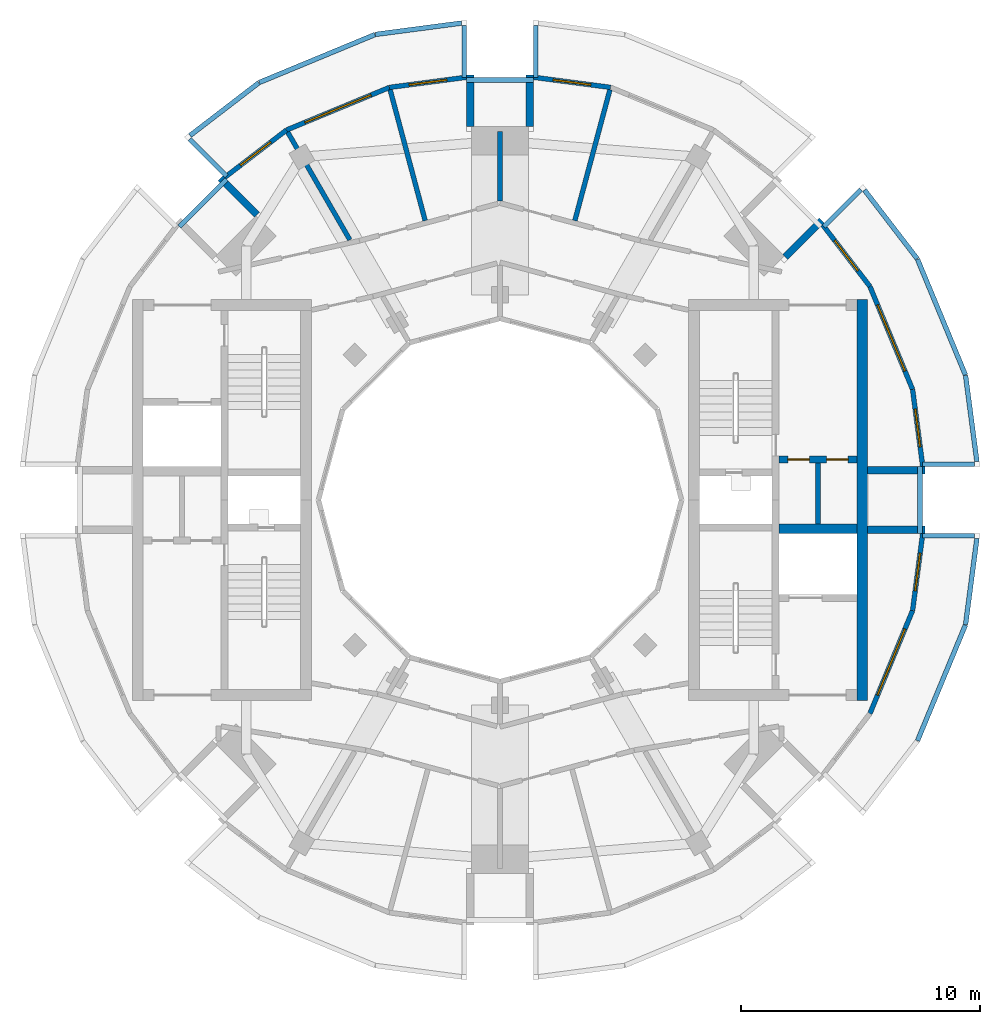
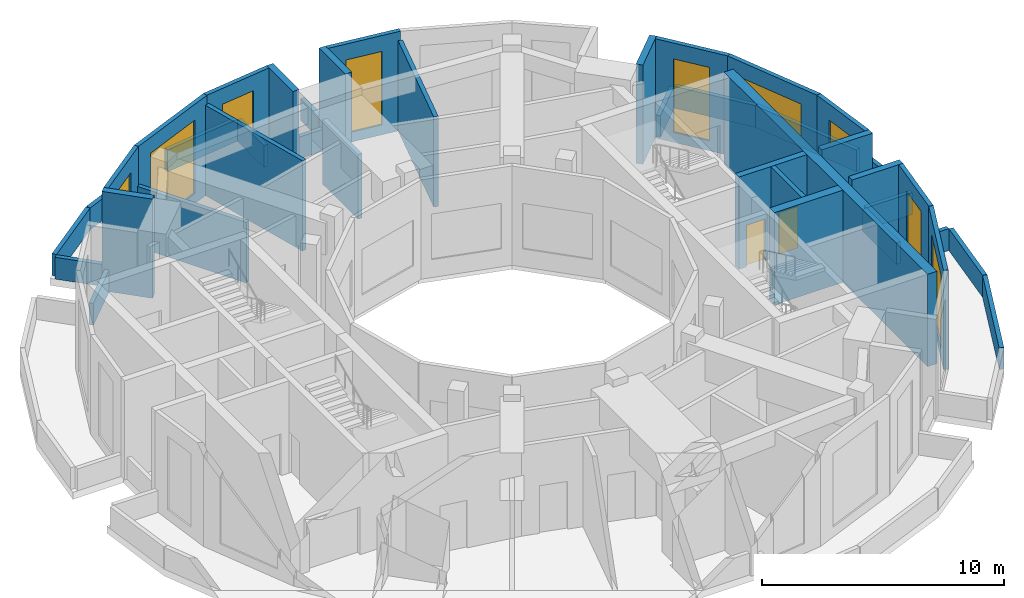
# One storey, part 6 of 8: 40 walls, 9 windows, 2 doors, 11 openings.
"""IFC4 building model written with IfcOpenShell, lengths in metres."""

from ifc_helpers import new_model, si_unit, direction, frame, frame_2d, origin, place, context, subcontext, project, spatial, rectangle, extrude, material, layer, layer_set, type_object, element, fill, save


model = new_model("IFC4")

# Units and contexts
model_context = context("Model", 3, precision=1e-05, world=origin(), true_north=direction((0.0, 1.0)))
body_context = subcontext(model_context, "Body", "Model", "MODEL_VIEW")
ifc_project = project(units=[si_unit("LENGTHUNIT", "METRE"), si_unit("AREAUNIT", "SQUARE_METRE"), si_unit("VOLUMEUNIT", "CUBIC_METRE"), si_unit("PLANEANGLEUNIT", "RADIAN"), si_unit("MASSUNIT", "GRAM", prefix="KILO")], contexts=[model_context])

# Site, building, storey
site_placement = place(None, origin())
site = spatial("IfcSite", under=ifc_project, at=site_placement, CompositionType="ELEMENT")
building_placement = place(site_placement, origin())
building = spatial("IfcBuilding", under=site, at=building_placement, Name="Torre Brocal", CompositionType="ELEMENT")
storey_placement = place(building_placement, frame((0.0, 0.0, 328.10009765625)))
storey = spatial("IfcBuildingStorey", under=building, at=storey_placement, Name="L75", CompositionType="ELEMENT", Elevation=328.10009765625)

# Wall
ifc_material_1 = material(Name="Masonry block", Category="masonry")
ifc_layer_1 = layer(ifc_material_1, 0.199951171875)
ifc_layer_set_1 = layer_set([ifc_layer_1], Name="Masonry block")
wall_type_1 = type_object("IfcWallType", Name="CORE PARTITION 200 UNDER 350 SLAB", PredefinedType="PARTITIONING", material=ifc_layer_set_1)
wall_1_placement = place(storey_placement, frame((93.324951171875, 74.0, 0.0), z_axis=(0.0, 0.0, 1.0), x_axis=(0.0, 1.0, 0.0)))
element("IfcWall", 1, at=wall_1_placement, inside=storey, type_object=wall_type_1, Name="Wall CP200-S350", PredefinedType="PARTITIONING", context=body_context, shape_type="SweptSolid", body=[
    extrude(rectangle(XDim=2.550048828125, YDim=0.199951171875, at=frame_2d((1.27490234375, 0.0))), origin(), (0.0, 0.0, 1.0), 4.64990234375),
])

# Wall, openings, doors
ifc_material_2 = material(Name="Concrete C50", Category="concrete")
ifc_layer_2 = layer(ifc_material_2, 0.300048828125)
ifc_layer_set_2 = layer_set([ifc_layer_2], Name="Concrete C50")
wall_type_2 = type_object("IfcWallType", Name="CORE WALL 300 C50 UNDER 350 SLAB", PredefinedType="SHEAR", material=ifc_layer_set_2)
wall_2_placement = place(storey_placement, frame((91.699951171875, 76.699951171875, 0.0), z_axis=(0.0, 0.0, 1.0), x_axis=(1.0, 0.0, 0.0)))
wall_2 = element("IfcWall", 2, at=wall_2_placement, inside=storey, type_object=wall_type_2, Name="Wall CW300-50-S350", PredefinedType="SHEAR", context=body_context, shape_type="SweptSolid", body=[
    extrude(rectangle(XDim=3.25, YDim=0.300048828125, at=frame_2d((1.625, 0.0))), origin(), (0.0, 0.0, 1.0), 4.64990234375),
])
opening_1_placement = place(wall_2_placement, frame((0.362548828125, 0.0, 0.0)))
opening_1 = element("IfcOpeningElement", 3, at=opening_1_placement, cuts=wall_2, Name="Opening E-D04", PredefinedType="OPENING", context=body_context, shape_type="SweptSolid", body=[
    extrude(rectangle(XDim=0.89990234375, YDim=2.10009765625, at=frame_2d((0.449951171875, 1.050048828125))), frame((0.0, 0.159912109375, 0.0), z_axis=(0.0, -1.0, 0.0), x_axis=(1.0, 0.0, 0.0)), (0.0, 0.0, 1.0), 0.320068359375),
])
opening_2_placement = place(wall_2_placement, frame((1.987548828125, 0.0, 0.0)))
opening_2 = element("IfcOpeningElement", 4, at=opening_2_placement, cuts=wall_2, Name="Opening E-D05", PredefinedType="OPENING", context=body_context, shape_type="SweptSolid", body=[
    extrude(rectangle(XDim=0.89990234375, YDim=2.10009765625, at=frame_2d((0.449951171875, 1.050048828125))), frame((0.0, 0.159912109375, 0.0), z_axis=(0.0, -1.0, 0.0), x_axis=(1.0, 0.0, 0.0)), (0.0, 0.0, 1.0), 0.320068359375),
])
ifc_material_3 = material(Name="Steel A653", Category="steel")
door_type = type_object("IfcDoorType", Name="ROOM DOOR FD30S 900X2100", OperationType="SINGLE_SWING_LEFT", PredefinedType="DOOR", material=ifc_material_3)
door_1_placement = place(opening_1_placement, frame((0.89990234375, 0.0, 0.0), z_axis=(0.0, 0.0, 1.0), x_axis=(-1.0, 0.0, 0.0)))
door_1 = element("IfcDoor", 5, at=door_1_placement, inside=storey, type_object=door_type, Name="Door E-D04", OperationType="SINGLE_SWING_LEFT", OverallHeight=2.10009765625, OverallWidth=0.89990234375, PredefinedType="DOOR", context=body_context, shape_type="SweptSolid", body=[
    extrude(rectangle(XDim=0.89990234375, YDim=2.10009765625, at=frame_2d((0.449951171875, 1.050048828125))), frame((0.0, 0.02490234375, 0.0), z_axis=(0.0, -1.0, 0.0), x_axis=(1.0, 0.0, 0.0)), (0.0, 0.0, 1.0), 0.050048828125),
])
fill(opening_1, door_1)
door_2_placement = place(opening_2_placement, frame((0.89990234375, 0.0, 0.0), z_axis=(0.0, 0.0, 1.0), x_axis=(-1.0, 0.0, 0.0)))
door_2 = element("IfcDoor", 6, at=door_2_placement, inside=storey, type_object=door_type, Name="Door E-D05", OperationType="SINGLE_SWING_RIGHT", OverallHeight=2.10009765625, OverallWidth=0.89990234375, PredefinedType="DOOR", context=body_context, shape_type="SweptSolid", body=[
    extrude(rectangle(XDim=0.89990234375, YDim=2.10009765625, at=frame_2d((0.449951171875, 1.050048828125))), frame((0.0, 0.02490234375, 0.0), z_axis=(0.0, -1.0, 0.0), x_axis=(1.0, 0.0, 0.0)), (0.0, 0.0, 1.0), 0.050048828125),
])
fill(opening_2, door_2)

# Walls
ifc_material_4 = material(Name="Concrete C50", Category="concrete")
ifc_layer_3 = layer(ifc_material_4, 0.39990234375)
ifc_layer_set_3 = layer_set([ifc_layer_3], Name="Concrete C50")
wall_type_3 = type_object("IfcWallType", Name="CORE WALL 400 C50 UNDER 350 SLAB", PredefinedType="SHEAR", material=ifc_layer_set_3)
wall_3_placement = place(storey_placement, frame((91.699951171875, 73.800048828125, 0.0), z_axis=(0.0, 0.0, 1.0), x_axis=(1.0, 0.0, 0.0)))
element("IfcWall", 7, at=wall_3_placement, inside=storey, type_object=wall_type_3, Name="Wall CW400-50-S350", PredefinedType="SHEAR", context=body_context, shape_type="SweptSolid", body=[
    extrude(rectangle(XDim=3.25, YDim=0.39990234375, at=frame_2d((1.625, 0.0))), origin(), (0.0, 0.0, 1.0), 4.64990234375),
])
ifc_material_5 = material(Name="Concrete C50", Category="concrete")
ifc_layer_4 = layer(ifc_material_5, 0.449951171875)
ifc_layer_set_4 = layer_set([ifc_layer_4], Name="Concrete C50")
wall_type_4 = type_object("IfcWallType", Name="CORE WALL 450 C50 UNDER 350 SLAB", PredefinedType="SHEAR", material=ifc_layer_set_4)
wall_4_placement = place(storey_placement, frame((95.175048828125, 66.60009765625, 0.0), z_axis=(0.0, 0.0, 1.0), x_axis=(0.0, 1.0, 0.0)))
element("IfcWall", 8, at=wall_4_placement, inside=storey, type_object=wall_type_4, Name="Wall CW450-50-S350", PredefinedType="SHEAR", context=body_context, shape_type="SweptSolid", body=[
    extrude(rectangle(XDim=16.7998046875, YDim=0.449951171875, at=frame_2d((8.39990234375, 0.0))), origin(), (0.0, 0.0, 1.0), 4.64990234375),
])

# Wall, opening, window
ifc_material_6 = material(Name="Concrete C40", Category="concrete")
ifc_layer_5 = layer(ifc_material_6, 0.199951171875)
ifc_layer_set_5 = layer_set([ifc_layer_5], Name="Concrete C40")
wall_type_5 = type_object("IfcWallType", Name="LOUVRED PLANT WALL 200", PredefinedType="NOTDEFINED", material=ifc_layer_set_5)
wall_5_placement = place(storey_placement, frame((97.71484375, 76.39990234375, 0.0), z_axis=(0.0, 0.0, 1.0), x_axis=(-0.130510682886, 0.991446903093, 0.0)))
wall_5 = element("IfcWall", 9, at=wall_5_placement, inside=storey, type_object=wall_type_5, Name="LOUVRED PLANT WALL", PredefinedType="NOTDEFINED", context=body_context, shape_type="SweptSolid", body=[
    extrude(rectangle(XDim=3.260498046875, YDim=0.199951171875, at=frame_2d((1.63037109375, 0.0))), origin(), (0.0, 0.0, 1.0), 5.0),
])
opening_3_placement = place(wall_5_placement, frame((0.830322265625, 0.0, 0.5)))
opening_3 = element("IfcOpeningElement", 10, at=opening_3_placement, cuts=wall_5, Name="Opening LV-1600-3700", PredefinedType="OPENING", context=body_context, shape_type="SweptSolid", body=[
    extrude(rectangle(XDim=1.60009765625, YDim=3.699951171875, at=frame_2d((0.800048828125, 1.85009765625))), frame((0.0, 0.10986328125, 0.0), z_axis=(0.0, -1.0, 0.0), x_axis=(1.0, 0.0, 0.0)), (0.0, 0.0, 1.0), 0.219970703125),
])
ifc_material_7 = material(Name="Aluminium louvre", Category="aluminium")
window_type_1 = type_object("IfcWindowType", Name="LOUVRE PANEL 1600X3700", PartitioningType="SINGLE_PANEL", PredefinedType="USERDEFINED", material=ifc_material_7)
window_1_placement = place(opening_3_placement, origin())
window_1 = element("IfcWindow", 11, at=window_1_placement, inside=storey, type_object=window_type_1, Name="LOUVRE PANEL 1600X3700", ObjectType="LOUVRE", OverallHeight=3.699951171875, OverallWidth=1.60009765625, PartitioningType="SINGLE_PANEL", PredefinedType="USERDEFINED", context=body_context, shape_type="SweptSolid", body=[
    extrude(rectangle(XDim=1.60009765625, YDim=3.699951171875, at=frame_2d((0.800048828125, 1.85009765625))), frame((0.0, 0.030029296875, 0.0), z_axis=(0.0, -1.0, 0.0), x_axis=(1.0, 0.0, 0.0)), (0.0, 0.0, 1.0), 0.06005859375),
])
fill(opening_3, window_1)

wall_6_placement = place(storey_placement, frame((97.289306640625, 79.632568359375, 0.0), z_axis=(0.0, 0.0, 1.0), x_axis=(-0.382677892842, 0.923881827038, 0.0)))
wall_6 = element("IfcWall", 12, at=wall_6_placement, inside=storey, type_object=wall_type_5, Name="LOUVRED PLANT WALL", PredefinedType="NOTDEFINED", context=body_context, shape_type="SweptSolid", body=[
    extrude(rectangle(XDim=4.672607421875, YDim=0.199951171875, at=frame_2d((2.33642578125, 0.0))), origin(), (0.0, 0.0, 1.0), 5.0),
])
opening_4_placement = place(wall_6_placement, frame((0.83642578125, 0.0, 0.5)))
opening_4 = element("IfcOpeningElement", 13, at=opening_4_placement, cuts=wall_6, Name="Opening LV-3000-3700", PredefinedType="OPENING", context=body_context, shape_type="SweptSolid", body=[
    extrude(rectangle(XDim=3.0, YDim=3.699951171875, at=frame_2d((1.5, 1.85009765625))), frame((0.0, 0.10986328125, 0.0), z_axis=(0.0, -1.0, 0.0), x_axis=(1.0, 0.0, 0.0)), (0.0, 0.0, 1.0), 0.219970703125),
])
ifc_material_8 = material(Name="Aluminium louvre", Category="aluminium")
window_type_2 = type_object("IfcWindowType", Name="LOUVRE PANEL 3000X3700", PartitioningType="SINGLE_PANEL", PredefinedType="USERDEFINED", material=ifc_material_8)
window_2_placement = place(opening_4_placement, origin())
window_2 = element("IfcWindow", 14, at=window_2_placement, inside=storey, type_object=window_type_2, Name="LOUVRE PANEL 3000X3700", ObjectType="LOUVRE", OverallHeight=3.699951171875, OverallWidth=3.0, PartitioningType="SINGLE_PANEL", PredefinedType="USERDEFINED", context=body_context, shape_type="SweptSolid", body=[
    extrude(rectangle(XDim=3.0, YDim=3.699951171875, at=frame_2d((1.5, 1.85009765625))), frame((0.0, 0.030029296875, 0.0), z_axis=(0.0, -1.0, 0.0), x_axis=(1.0, 0.0, 0.0)), (0.0, 0.0, 1.0), 0.06005859375),
])
fill(opening_4, window_2)

wall_7_placement = place(storey_placement, frame((95.501220703125, 83.949462890625, 0.0), z_axis=(0.0, 0.0, 1.0), x_axis=(-0.608780431243, 0.793338759003, 0.0)))
wall_7 = element("IfcWall", 15, at=wall_7_placement, inside=storey, type_object=wall_type_5, Name="LOUVRED PLANT WALL", PredefinedType="NOTDEFINED", context=body_context, shape_type="SweptSolid", body=[
    extrude(rectangle(XDim=3.2607421875, YDim=0.199951171875, at=frame_2d((1.63037109375, 0.0))), origin(), (0.0, 0.0, 1.0), 5.0),
])
opening_5_placement = place(wall_7_placement, frame((0.830322265625, 0.0, 0.5)))
opening_5 = element("IfcOpeningElement", 16, at=opening_5_placement, cuts=wall_7, Name="Opening LV-1600-3700", PredefinedType="OPENING", context=body_context, shape_type="SweptSolid", body=[
    extrude(rectangle(XDim=1.60009765625, YDim=3.699951171875, at=frame_2d((0.800048828125, 1.85009765625))), frame((0.0, 0.10986328125, 0.0), z_axis=(0.0, -1.0, 0.0), x_axis=(1.0, 0.0, 0.0)), (0.0, 0.0, 1.0), 0.219970703125),
])
window_3_placement = place(opening_5_placement, origin())
window_3 = element("IfcWindow", 17, at=window_3_placement, inside=storey, type_object=window_type_1, Name="LOUVRE PANEL 1600X3700", ObjectType="LOUVRE", OverallHeight=3.699951171875, OverallWidth=1.60009765625, PartitioningType="SINGLE_PANEL", PredefinedType="USERDEFINED", context=body_context, shape_type="SweptSolid", body=[
    extrude(rectangle(XDim=1.60009765625, YDim=3.699951171875, at=frame_2d((0.800048828125, 1.85009765625))), frame((0.0, 0.030029296875, 0.0), z_axis=(0.0, -1.0, 0.0), x_axis=(1.0, 0.0, 0.0)), (0.0, 0.0, 1.0), 0.06005859375),
])
fill(opening_5, window_3)

wall_8_placement = place(storey_placement, frame((84.632568359375, 92.289306640625, 0.0), z_axis=(0.0, 0.0, 1.0), x_axis=(-0.991446903093, 0.130510682886, 0.0)))
wall_8 = element("IfcWall", 18, at=wall_8_placement, inside=storey, type_object=wall_type_5, Name="LOUVRED PLANT WALL", PredefinedType="NOTDEFINED", context=body_context, shape_type="SweptSolid", body=[
    extrude(rectangle(XDim=3.260498046875, YDim=0.199951171875, at=frame_2d((1.63037109375, 0.0))), origin(), (0.0, 0.0, 1.0), 5.0),
])
opening_6_placement = place(wall_8_placement, frame((0.830322265625, 0.0, 0.5)))
opening_6 = element("IfcOpeningElement", 19, at=opening_6_placement, cuts=wall_8, Name="Opening LV-1600-3700", PredefinedType="OPENING", context=body_context, shape_type="SweptSolid", body=[
    extrude(rectangle(XDim=1.60009765625, YDim=3.699951171875, at=frame_2d((0.800048828125, 1.85009765625))), frame((0.0, 0.10986328125, 0.0), z_axis=(0.0, -1.0, 0.0), x_axis=(1.0, 0.0, 0.0)), (0.0, 0.0, 1.0), 0.219970703125),
])
window_4_placement = place(opening_6_placement, origin())
window_4 = element("IfcWindow", 20, at=window_4_placement, inside=storey, type_object=window_type_1, Name="LOUVRE PANEL 1600X3700", ObjectType="LOUVRE", OverallHeight=3.699951171875, OverallWidth=1.60009765625, PartitioningType="SINGLE_PANEL", PredefinedType="USERDEFINED", context=body_context, shape_type="SweptSolid", body=[
    extrude(rectangle(XDim=1.60009765625, YDim=3.699951171875, at=frame_2d((0.800048828125, 1.85009765625))), frame((0.0, 0.030029296875, 0.0), z_axis=(0.0, -1.0, 0.0), x_axis=(1.0, 0.0, 0.0)), (0.0, 0.0, 1.0), 0.06005859375),
])
fill(opening_6, window_4)

wall_9_placement = place(storey_placement, frame((78.60009765625, 92.71484375, 0.0), z_axis=(0.0, 0.0, 1.0), x_axis=(-0.991446903093, -0.130510682886, 0.0)))
wall_9 = element("IfcWall", 21, at=wall_9_placement, inside=storey, type_object=wall_type_5, Name="LOUVRED PLANT WALL", PredefinedType="NOTDEFINED", context=body_context, shape_type="SweptSolid", body=[
    extrude(rectangle(XDim=3.260498046875, YDim=0.199951171875, at=frame_2d((1.63037109375, 0.0))), origin(), (0.0, 0.0, 1.0), 5.0),
])
opening_7_placement = place(wall_9_placement, frame((0.830322265625, 0.0, 0.5)))
opening_7 = element("IfcOpeningElement", 22, at=opening_7_placement, cuts=wall_9, Name="Opening LV-1600-3700", PredefinedType="OPENING", context=body_context, shape_type="SweptSolid", body=[
    extrude(rectangle(XDim=1.60009765625, YDim=3.699951171875, at=frame_2d((0.800048828125, 1.85009765625))), frame((0.0, 0.10986328125, 0.0), z_axis=(0.0, -1.0, 0.0), x_axis=(1.0, 0.0, 0.0)), (0.0, 0.0, 1.0), 0.219970703125),
])
window_5_placement = place(opening_7_placement, origin())
window_5 = element("IfcWindow", 23, at=window_5_placement, inside=storey, type_object=window_type_1, Name="LOUVRE PANEL 1600X3700", ObjectType="LOUVRE", OverallHeight=3.699951171875, OverallWidth=1.60009765625, PartitioningType="SINGLE_PANEL", PredefinedType="USERDEFINED", context=body_context, shape_type="SweptSolid", body=[
    extrude(rectangle(XDim=1.60009765625, YDim=3.699951171875, at=frame_2d((0.800048828125, 1.85009765625))), frame((0.0, 0.030029296875, 0.0), z_axis=(0.0, -1.0, 0.0), x_axis=(1.0, 0.0, 0.0)), (0.0, 0.0, 1.0), 0.06005859375),
])
fill(opening_7, window_5)

wall_10_placement = place(storey_placement, frame((75.367431640625, 92.289306640625, 0.0), z_axis=(0.0, 0.0, 1.0), x_axis=(-0.923881827038, -0.382677892842, 0.0)))
wall_10 = element("IfcWall", 24, at=wall_10_placement, inside=storey, type_object=wall_type_5, Name="LOUVRED PLANT WALL", PredefinedType="NOTDEFINED", context=body_context, shape_type="SweptSolid", body=[
    extrude(rectangle(XDim=4.672607421875, YDim=0.199951171875, at=frame_2d((2.33642578125, 0.0))), origin(), (0.0, 0.0, 1.0), 5.0),
])
opening_8_placement = place(wall_10_placement, frame((0.83642578125, 0.0, 0.5)))
opening_8 = element("IfcOpeningElement", 25, at=opening_8_placement, cuts=wall_10, Name="Opening LV-3000-3700", PredefinedType="OPENING", context=body_context, shape_type="SweptSolid", body=[
    extrude(rectangle(XDim=3.0, YDim=3.699951171875, at=frame_2d((1.5, 1.85009765625))), frame((0.0, 0.10986328125, 0.0), z_axis=(0.0, -1.0, 0.0), x_axis=(1.0, 0.0, 0.0)), (0.0, 0.0, 1.0), 0.219970703125),
])
window_6_placement = place(opening_8_placement, origin())
window_6 = element("IfcWindow", 26, at=window_6_placement, inside=storey, type_object=window_type_2, Name="LOUVRE PANEL 3000X3700", ObjectType="LOUVRE", OverallHeight=3.699951171875, OverallWidth=3.0, PartitioningType="SINGLE_PANEL", PredefinedType="USERDEFINED", context=body_context, shape_type="SweptSolid", body=[
    extrude(rectangle(XDim=3.0, YDim=3.699951171875, at=frame_2d((1.5, 1.85009765625))), frame((0.0, 0.030029296875, 0.0), z_axis=(0.0, -1.0, 0.0), x_axis=(1.0, 0.0, 0.0)), (0.0, 0.0, 1.0), 0.06005859375),
])
fill(opening_8, window_6)

wall_11_placement = place(storey_placement, frame((71.050537109375, 90.501220703125, 0.0), z_axis=(0.0, 0.0, 1.0), x_axis=(-0.793338759003, -0.608780431243, 0.0)))
wall_11 = element("IfcWall", 27, at=wall_11_placement, inside=storey, type_object=wall_type_5, Name="LOUVRED PLANT WALL", PredefinedType="NOTDEFINED", context=body_context, shape_type="SweptSolid", body=[
    extrude(rectangle(XDim=3.2607421875, YDim=0.199951171875, at=frame_2d((1.63037109375, 0.0))), origin(), (0.0, 0.0, 1.0), 5.0),
])
opening_9_placement = place(wall_11_placement, frame((0.830322265625, 0.0, 0.5)))
opening_9 = element("IfcOpeningElement", 28, at=opening_9_placement, cuts=wall_11, Name="Opening LV-1600-3700", PredefinedType="OPENING", context=body_context, shape_type="SweptSolid", body=[
    extrude(rectangle(XDim=1.60009765625, YDim=3.699951171875, at=frame_2d((0.800048828125, 1.85009765625))), frame((0.0, 0.10986328125, 0.0), z_axis=(0.0, -1.0, 0.0), x_axis=(1.0, 0.0, 0.0)), (0.0, 0.0, 1.0), 0.219970703125),
])
window_7_placement = place(opening_9_placement, origin())
window_7 = element("IfcWindow", 29, at=window_7_placement, inside=storey, type_object=window_type_1, Name="LOUVRE PANEL 1600X3700", ObjectType="LOUVRE", OverallHeight=3.699951171875, OverallWidth=1.60009765625, PartitioningType="SINGLE_PANEL", PredefinedType="USERDEFINED", context=body_context, shape_type="SweptSolid", body=[
    extrude(rectangle(XDim=1.60009765625, YDim=3.699951171875, at=frame_2d((0.800048828125, 1.85009765625))), frame((0.0, 0.030029296875, 0.0), z_axis=(0.0, -1.0, 0.0), x_axis=(1.0, 0.0, 0.0)), (0.0, 0.0, 1.0), 0.06005859375),
])
fill(opening_9, window_7)

wall_12_placement = place(storey_placement, frame((95.501220703125, 66.050537109375, 0.0), z_axis=(0.0, 0.0, 1.0), x_axis=(0.382677892842, 0.923881827038, 0.0)))
wall_12 = element("IfcWall", 30, at=wall_12_placement, inside=storey, type_object=wall_type_5, Name="LOUVRED PLANT WALL", PredefinedType="NOTDEFINED", context=body_context, shape_type="SweptSolid", body=[
    extrude(rectangle(XDim=4.672607421875, YDim=0.199951171875, at=frame_2d((2.33642578125, 0.0))), origin(), (0.0, 0.0, 1.0), 5.0),
])
opening_10_placement = place(wall_12_placement, frame((0.83642578125, 0.0, 0.5)))
opening_10 = element("IfcOpeningElement", 31, at=opening_10_placement, cuts=wall_12, Name="Opening LV-3000-3700", PredefinedType="OPENING", context=body_context, shape_type="SweptSolid", body=[
    extrude(rectangle(XDim=3.0, YDim=3.699951171875, at=frame_2d((1.5, 1.85009765625))), frame((0.0, 0.10986328125, 0.0), z_axis=(0.0, -1.0, 0.0), x_axis=(1.0, 0.0, 0.0)), (0.0, 0.0, 1.0), 0.219970703125),
])
window_8_placement = place(opening_10_placement, origin())
window_8 = element("IfcWindow", 32, at=window_8_placement, inside=storey, type_object=window_type_2, Name="LOUVRE PANEL 3000X3700", ObjectType="LOUVRE", OverallHeight=3.699951171875, OverallWidth=3.0, PartitioningType="SINGLE_PANEL", PredefinedType="USERDEFINED", context=body_context, shape_type="SweptSolid", body=[
    extrude(rectangle(XDim=3.0, YDim=3.699951171875, at=frame_2d((1.5, 1.85009765625))), frame((0.0, 0.030029296875, 0.0), z_axis=(0.0, -1.0, 0.0), x_axis=(1.0, 0.0, 0.0)), (0.0, 0.0, 1.0), 0.06005859375),
])
fill(opening_10, window_8)

wall_13_placement = place(storey_placement, frame((97.289306640625, 70.367431640625, 0.0), z_axis=(0.0, 0.0, 1.0), x_axis=(0.130510682886, 0.991446903093, 0.0)))
wall_13 = element("IfcWall", 33, at=wall_13_placement, inside=storey, type_object=wall_type_5, Name="LOUVRED PLANT WALL", PredefinedType="NOTDEFINED", context=body_context, shape_type="SweptSolid", body=[
    extrude(rectangle(XDim=3.260498046875, YDim=0.199951171875, at=frame_2d((1.63037109375, 0.0))), origin(), (0.0, 0.0, 1.0), 5.0),
])
opening_11_placement = place(wall_13_placement, frame((0.830322265625, 0.0, 0.5)))
opening_11 = element("IfcOpeningElement", 34, at=opening_11_placement, cuts=wall_13, Name="Opening LV-1600-3700", PredefinedType="OPENING", context=body_context, shape_type="SweptSolid", body=[
    extrude(rectangle(XDim=1.60009765625, YDim=3.699951171875, at=frame_2d((0.800048828125, 1.85009765625))), frame((0.0, 0.10986328125, 0.0), z_axis=(0.0, -1.0, 0.0), x_axis=(1.0, 0.0, 0.0)), (0.0, 0.0, 1.0), 0.219970703125),
])
window_9_placement = place(opening_11_placement, origin())
window_9 = element("IfcWindow", 35, at=window_9_placement, inside=storey, type_object=window_type_1, Name="LOUVRE PANEL 1600X3700", ObjectType="LOUVRE", OverallHeight=3.699951171875, OverallWidth=1.60009765625, PartitioningType="SINGLE_PANEL", PredefinedType="USERDEFINED", context=body_context, shape_type="SweptSolid", body=[
    extrude(rectangle(XDim=1.60009765625, YDim=3.699951171875, at=frame_2d((0.800048828125, 1.85009765625))), frame((0.0, 0.030029296875, 0.0), z_axis=(0.0, -1.0, 0.0), x_axis=(1.0, 0.0, 0.0)), (0.0, 0.0, 1.0), 0.06005859375),
])
fill(opening_11, window_9)

# Walls
ifc_material_9 = material(Name="Concrete C50", Category="concrete")
ifc_layer_6 = layer(ifc_material_9, 0.300048828125)
ifc_layer_set_6 = layer_set([ifc_layer_6], Name="Concrete C50")
wall_type_6 = type_object("IfcWallType", Name="NOTCH RETURN WALL 300 C50", PredefinedType="NOTDEFINED", material=ifc_layer_set_6)
for number, where, z_axis, x_axis, name in (
    (36, (95.39990234375, 73.75, 0.0), (0.0, 0.0, 1.0), (1.0, 0.0, 0.0), "NOTCH RETURN WALL"),
    (37, (95.39990234375, 76.25, 0.0), (0.0, 0.0, 1.0), (1.0, 0.0, 0.0), "NOTCH RETURN WALL"),
):
    element("IfcWall", number, at=place(storey_placement, frame(where, z_axis=z_axis, x_axis=x_axis)), inside=storey, type_object=wall_type_6, Name=name, PredefinedType="NOTDEFINED", context=body_context, shape_type="SweptSolid", body=[
        extrude(rectangle(XDim=2.415771484375, YDim=0.300048828125, at=frame_2d((1.2080078125, 0.0))), origin(), (0.0, 0.0, 1.0), 5.0),
    ])
wall_14_placement = place(storey_placement, frame((91.9501953125, 85.182373046875, 0.0), z_axis=(0.0, 0.0, 1.0), x_axis=(0.707106781187, 0.707106781187, 0.0)))
element("IfcWall", 38, at=wall_14_placement, inside=storey, type_object=wall_type_6, Name="NOTCH RETURN WALL", PredefinedType="NOTDEFINED", context=body_context, shape_type="SweptSolid", body=[
    extrude(rectangle(XDim=2.16552734375, YDim=0.300048828125, at=frame_2d((1.082763671875, 0.0))), origin(), (0.0, 0.0, 1.0), 5.0),
])
for number, where, z_axis, x_axis, name in (
    (39, (81.25, 90.64990234375, 0.0), (0.0, 0.0, 1.0), (0.0, 1.0, 0.0), "NOTCH RETURN WALL"),
    (40, (78.75, 90.64990234375, 0.0), (0.0, 0.0, 1.0), (0.0, 1.0, 0.0), "NOTCH RETURN WALL"),
):
    element("IfcWall", number, at=place(storey_placement, frame(where, z_axis=z_axis, x_axis=x_axis)), inside=storey, type_object=wall_type_6, Name=name, PredefinedType="NOTDEFINED", context=body_context, shape_type="SweptSolid", body=[
        extrude(rectangle(XDim=2.165771484375, YDim=0.300048828125, at=frame_2d((1.0830078125, 0.0))), origin(), (0.0, 0.0, 1.0), 5.0),
    ])
wall_15_placement = place(storey_placement, frame((69.817626953125, 86.9501953125, 0.0), z_axis=(0.0, 0.0, 1.0), x_axis=(-0.707106781187, 0.707106781187, 0.0)))
element("IfcWall", 41, at=wall_15_placement, inside=storey, type_object=wall_type_6, Name="NOTCH RETURN WALL", PredefinedType="NOTDEFINED", context=body_context, shape_type="SweptSolid", body=[
    extrude(rectangle(XDim=2.16552734375, YDim=0.300048828125, at=frame_2d((1.082763671875, 0.0))), origin(), (0.0, 0.0, 1.0), 5.0),
])
ifc_material_10 = material(Name="Concrete C40", Category="concrete")
ifc_layer_7 = layer(ifc_material_10, 0.199951171875)
ifc_layer_set_7 = layer_set([ifc_layer_7], Name="Concrete C40")
wall_type_7 = type_object("IfcWallType", Name="PARAPET WALL 200 THICK 1100 HIGH 4", PredefinedType="PARAPET", material=ifc_layer_set_7)
wall_16_placement = place(storey_placement, frame((97.49658203125, 85.08642578125, 0.0), z_axis=(0.0, 0.0, 1.0), x_axis=(0.38268471779, -0.92387900007, 0.0)))
element("IfcWall", 42, at=wall_16_placement, inside=storey, type_object=wall_type_7, Name="PARAPET WALL 1", PredefinedType="PARAPET", context=body_context, shape_type="SweptSolid", body=[
    extrude(rectangle(XDim=5.24609375, YDim=0.199951171875, at=frame_2d((2.623046875, 0.0))), origin(), (0.0, 0.0, 1.0), 1.099853515625),
])
wall_17_placement = place(storey_placement, frame((99.510986328125, 80.21435546875, 0.0), z_axis=(0.0, 0.0, 1.0), x_axis=(0.130525796353, -0.991444913491, 0.0)))
element("IfcWall", 43, at=wall_17_placement, inside=storey, type_object=wall_type_7, Name="PARAPET WALL 2", PredefinedType="PARAPET", context=body_context, shape_type="SweptSolid", body=[
    extrude(rectangle(XDim=3.63232421875, YDim=0.199951171875, at=frame_2d((1.816162109375, 0.0))), origin(), (0.0, 0.0, 1.0), 1.099853515625),
])
wall_18_placement = place(storey_placement, frame((99.885986328125, 76.5, 0.0), z_axis=(0.0, 0.0, 1.0), x_axis=(-1.0, 0.0, 0.0)))
element("IfcWall", 44, at=wall_18_placement, inside=storey, type_object=wall_type_7, Name="PARAPET WALL 3", PredefinedType="PARAPET", context=body_context, shape_type="SweptSolid", body=[
    extrude(rectangle(XDim=2.18603515625, YDim=0.199951171875, at=frame_2d((1.093017578125, 0.0))), origin(), (0.0, 0.0, 1.0), 1.099853515625),
])
wall_19_placement = place(storey_placement, frame((97.60009765625, 76.39990234375, 0.0), z_axis=(0.0, 0.0, 1.0), x_axis=(0.0, -1.0, 0.0)))
element("IfcWall", 45, at=wall_19_placement, inside=storey, type_object=wall_type_7, Name="PARAPET WALL 4", PredefinedType="PARAPET", context=body_context, shape_type="SweptSolid", body=[
    extrude(rectangle(XDim=2.7998046875, YDim=0.199951171875, at=frame_2d((1.39990234375, 0.0))), origin(), (0.0, 0.0, 1.0), 1.099853515625),
])
wall_20_placement = place(storey_placement, frame((97.699951171875, 73.5, 0.0), z_axis=(0.0, 0.0, 1.0), x_axis=(1.0, 0.0, 0.0)))
element("IfcWall", 46, at=wall_20_placement, inside=storey, type_object=wall_type_7, Name="PARAPET WALL 5", PredefinedType="PARAPET", context=body_context, shape_type="SweptSolid", body=[
    extrude(rectangle(XDim=2.18603515625, YDim=0.199951171875, at=frame_2d((1.093017578125, 0.0))), origin(), (0.0, 0.0, 1.0), 1.099853515625),
])
wall_21_placement = place(storey_placement, frame((99.985107421875, 73.386962890625, 0.0), z_axis=(0.0, 0.0, 1.0), x_axis=(-0.130525796353, -0.991444913491, 0.0)))
element("IfcWall", 47, at=wall_21_placement, inside=storey, type_object=wall_type_7, Name="PARAPET WALL 6", PredefinedType="PARAPET", context=body_context, shape_type="SweptSolid", body=[
    extrude(rectangle(XDim=3.63232421875, YDim=0.199951171875, at=frame_2d((1.816162109375, 0.0))), origin(), (0.0, 0.0, 1.0), 1.099853515625),
])
wall_22_placement = place(storey_placement, frame((99.504150390625, 69.76025390625, 0.0), z_axis=(0.0, 0.0, 1.0), x_axis=(-0.38268471779, -0.92387900007, 0.0)))
element("IfcWall", 48, at=wall_22_placement, inside=storey, type_object=wall_type_7, Name="PARAPET WALL 7", PredefinedType="PARAPET", context=body_context, shape_type="SweptSolid", body=[
    extrude(rectangle(XDim=5.24609375, YDim=0.199951171875, at=frame_2d((2.623046875, 0.0))), origin(), (0.0, 0.0, 1.0), 1.099853515625),
])
wall_23_placement = place(storey_placement, frame((66.56494140625, 86.455078125, 0.0), z_axis=(0.0, 0.0, 1.0), x_axis=(0.707106781187, 0.707106781187, 0.0)))
element("IfcWall", 49, at=wall_23_placement, inside=storey, type_object=wall_type_7, Name="PARAPET WALL 34", PredefinedType="PARAPET", context=body_context, shape_type="SweptSolid", body=[
    extrude(rectangle(XDim=2.800048828125, YDim=0.199951171875, at=frame_2d((1.39990234375, 0.0))), origin(), (0.0, 0.0, 1.0), 1.099853515625),
])
wall_24_placement = place(storey_placement, frame((68.544921875, 88.576416015625, 0.0), z_axis=(0.0, 0.0, 1.0), x_axis=(-0.707106781187, 0.707106781187, 0.0)))
element("IfcWall", 50, at=wall_24_placement, inside=storey, type_object=wall_type_7, Name="PARAPET WALL 35", PredefinedType="PARAPET", context=body_context, shape_type="SweptSolid", body=[
    extrude(rectangle(XDim=2.185791015625, YDim=0.199951171875, at=frame_2d((1.0927734375, 0.0))), origin(), (0.0, 0.0, 1.0), 1.099853515625),
])
wall_25_placement = place(storey_placement, frame((67.009033203125, 90.272216796875, 0.0), z_axis=(0.0, 0.0, 1.0), x_axis=(0.793370471742, 0.608739102217, 0.0)))
element("IfcWall", 51, at=wall_25_placement, inside=storey, type_object=wall_type_7, Name="PARAPET WALL 36", PredefinedType="PARAPET", context=body_context, shape_type="SweptSolid", body=[
    extrude(rectangle(XDim=3.63232421875, YDim=0.199951171875, at=frame_2d((1.816162109375, 0.0))), origin(), (0.0, 0.0, 1.0), 1.099853515625),
])
wall_26_placement = place(storey_placement, frame((69.91357421875, 92.49658203125, 0.0), z_axis=(0.0, 0.0, 1.0), x_axis=(0.92387900007, 0.38268471779, 0.0)))
element("IfcWall", 52, at=wall_26_placement, inside=storey, type_object=wall_type_7, Name="PARAPET WALL 37", PredefinedType="PARAPET", context=body_context, shape_type="SweptSolid", body=[
    extrude(rectangle(XDim=5.24609375, YDim=0.199951171875, at=frame_2d((2.623046875, 0.0))), origin(), (0.0, 0.0, 1.0), 1.099853515625),
])
wall_27_placement = place(storey_placement, frame((74.78564453125, 94.510986328125, 0.0), z_axis=(0.0, 0.0, 1.0), x_axis=(0.991444913491, 0.130525796353, 0.0)))
element("IfcWall", 53, at=wall_27_placement, inside=storey, type_object=wall_type_7, Name="PARAPET WALL 38", PredefinedType="PARAPET", context=body_context, shape_type="SweptSolid", body=[
    extrude(rectangle(XDim=3.63232421875, YDim=0.199951171875, at=frame_2d((1.816162109375, 0.0))), origin(), (0.0, 0.0, 1.0), 1.099853515625),
])
wall_28_placement = place(storey_placement, frame((78.5, 94.885986328125, 0.0), z_axis=(0.0, 0.0, 1.0), x_axis=(0.0, -1.0, 0.0)))
element("IfcWall", 54, at=wall_28_placement, inside=storey, type_object=wall_type_7, Name="PARAPET WALL 39", PredefinedType="PARAPET", context=body_context, shape_type="SweptSolid", body=[
    extrude(rectangle(XDim=2.18603515625, YDim=0.199951171875, at=frame_2d((1.093017578125, 0.0))), origin(), (0.0, 0.0, 1.0), 1.099853515625),
])
wall_29_placement = place(storey_placement, frame((78.60009765625, 92.60009765625, 0.0), z_axis=(0.0, 0.0, 1.0), x_axis=(1.0, 0.0, 0.0)))
element("IfcWall", 55, at=wall_29_placement, inside=storey, type_object=wall_type_7, Name="PARAPET WALL 40", PredefinedType="PARAPET", context=body_context, shape_type="SweptSolid", body=[
    extrude(rectangle(XDim=2.7998046875, YDim=0.199951171875, at=frame_2d((1.39990234375, 0.0))), origin(), (0.0, 0.0, 1.0), 1.099853515625),
])
wall_30_placement = place(storey_placement, frame((81.5, 92.699951171875, 0.0), z_axis=(0.0, 0.0, 1.0), x_axis=(0.0, 1.0, 0.0)))
element("IfcWall", 56, at=wall_30_placement, inside=storey, type_object=wall_type_7, Name="PARAPET WALL 41", PredefinedType="PARAPET", context=body_context, shape_type="SweptSolid", body=[
    extrude(rectangle(XDim=2.18603515625, YDim=0.199951171875, at=frame_2d((1.093017578125, 0.0))), origin(), (0.0, 0.0, 1.0), 1.099853515625),
])
wall_31_placement = place(storey_placement, frame((93.576416015625, 86.455078125, 0.0), z_axis=(0.0, 0.0, 1.0), x_axis=(0.707106781187, 0.707106781187, 0.0)))
element("IfcWall", 57, at=wall_31_placement, inside=storey, type_object=wall_type_7, Name="PARAPET WALL 47", PredefinedType="PARAPET", context=body_context, shape_type="SweptSolid", body=[
    extrude(rectangle(XDim=2.185791015625, YDim=0.199951171875, at=frame_2d((1.0927734375, 0.0))), origin(), (0.0, 0.0, 1.0), 1.099853515625),
])
wall_32_placement = place(storey_placement, frame((95.272216796875, 87.990966796875, 0.0), z_axis=(0.0, 0.0, 1.0), x_axis=(0.608739102217, -0.793370471742, 0.0)))
element("IfcWall", 58, at=wall_32_placement, inside=storey, type_object=wall_type_7, Name="PARAPET WALL 48", PredefinedType="PARAPET", context=body_context, shape_type="SweptSolid", body=[
    extrude(rectangle(XDim=3.63232421875, YDim=0.199951171875, at=frame_2d((1.816162109375, 0.0))), origin(), (0.0, 0.0, 1.0), 1.099853515625),
])
ifc_material_11 = material(Name="Masonry block", Category="masonry")
ifc_layer_8 = layer(ifc_material_11, 0.199951171875)
ifc_layer_set_8 = layer_set([ifc_layer_8], Name="Masonry block")
wall_type_8 = type_object("IfcWallType", Name="PARTITION 200 EI120", PredefinedType="PARTITIONING", material=ifc_layer_set_8)
wall_33_placement = place(storey_placement, frame((75.395751953125, 92.19189453125, 0.0), z_axis=(0.0, 0.0, 1.0), x_axis=(0.258706001961, -0.965956109018, 0.0)))
element("IfcWall", 59, at=wall_33_placement, inside=storey, type_object=wall_type_8, Name="PLANT ROOM WALL", PredefinedType="PARTITIONING", context=body_context, shape_type="SweptSolid", body=[
    extrude(rectangle(XDim=5.67919921875, YDim=0.199951171875, at=frame_2d((2.839599609375, 0.0))), origin(), (0.0, 0.0, 1.0), 4.5498046875),
])
wall_34_placement = place(storey_placement, frame((83.135986328125, 86.705810546875, 0.0), z_axis=(0.0, 0.0, 1.0), x_axis=(0.258796968424, 0.965931741447, 0.0)))
element("IfcWall", 60, at=wall_34_placement, inside=storey, type_object=wall_type_8, Name="PLANT ROOM WALL", PredefinedType="PARTITIONING", context=body_context, shape_type="SweptSolid", body=[
    extrude(rectangle(XDim=5.678955078125, YDim=0.199951171875, at=frame_2d((2.83935546875, 0.0))), origin(), (0.0, 0.0, 1.0), 4.5498046875),
])
ifc_material_12 = material(Name="Masonry block", Category="masonry")
ifc_layer_9 = layer(ifc_material_12, 0.199951171875)
ifc_layer_set_9 = layer_set([ifc_layer_9], Name="Masonry block")
wall_type_9 = type_object("IfcWallType", Name="PARTITION 200 EI120 UNDER BEAM 1750", PredefinedType="PARTITIONING", material=ifc_layer_set_9)
wall_35_placement = place(storey_placement, frame((80.0, 87.531982421875, 0.0), z_axis=(0.0, 0.0, 1.0), x_axis=(0.0, 1.0, 0.0)))
element("IfcWall", 61, at=wall_35_placement, inside=storey, type_object=wall_type_9, Name="PLANT ROOM WALL", PredefinedType="PARTITIONING", context=body_context, shape_type="SweptSolid", body=[
    extrude(rectangle(XDim=2.91796875, YDim=0.199951171875, at=frame_2d((1.458984375, 0.0))), origin(), (0.0, 0.0, 1.0), 3.25),
])
ifc_material_13 = material(Name="Masonry block", Category="masonry")
ifc_layer_10 = layer(ifc_material_13, 0.199951171875)
ifc_layer_set_10 = layer_set([ifc_layer_10], Name="Masonry block")
wall_type_10 = type_object("IfcWallType", Name="PARTITION 200 EI120 UNDER BEAM 1950", PredefinedType="PARTITIONING", material=ifc_layer_set_10)
wall_36_placement = place(storey_placement, frame((71.104248046875, 90.413818359375, 0.0), z_axis=(0.0, 0.0, 1.0), x_axis=(0.499845568227, -0.866114546653, 0.0)))
element("IfcWall", 62, at=wall_36_placement, inside=storey, type_object=wall_type_10, Name="PLANT ROOM WALL", PredefinedType="PARTITIONING", context=body_context, shape_type="SweptSolid", body=[
    extrude(rectangle(XDim=5.207275390625, YDim=0.199951171875, at=frame_2d((2.603515625, 0.0))), origin(), (0.0, 0.0, 1.0), 3.0498046875),
])

save(model, "model.ifc")
